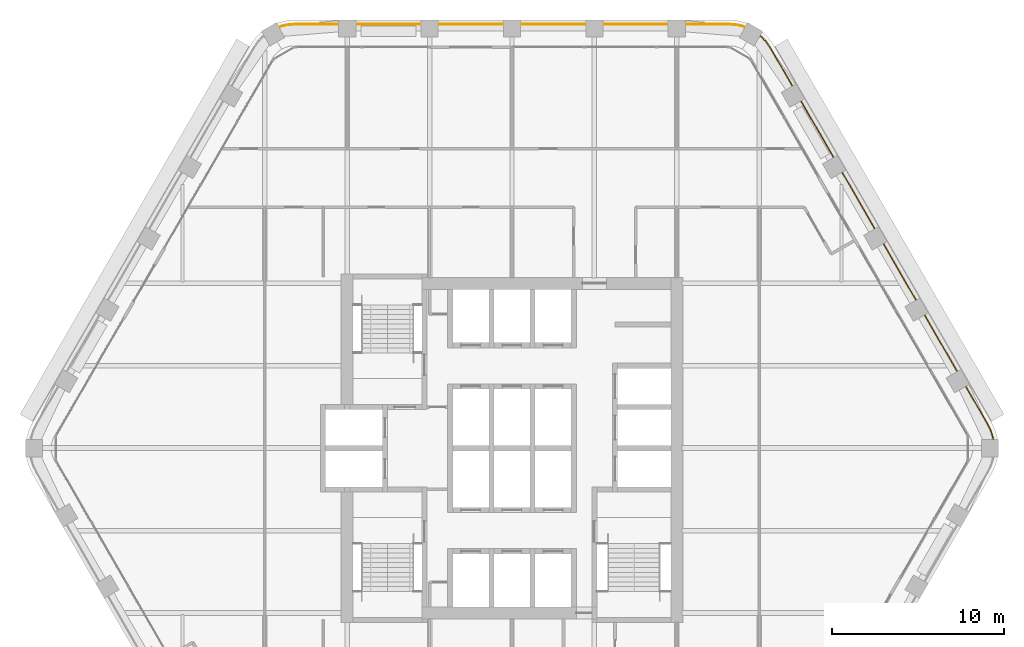
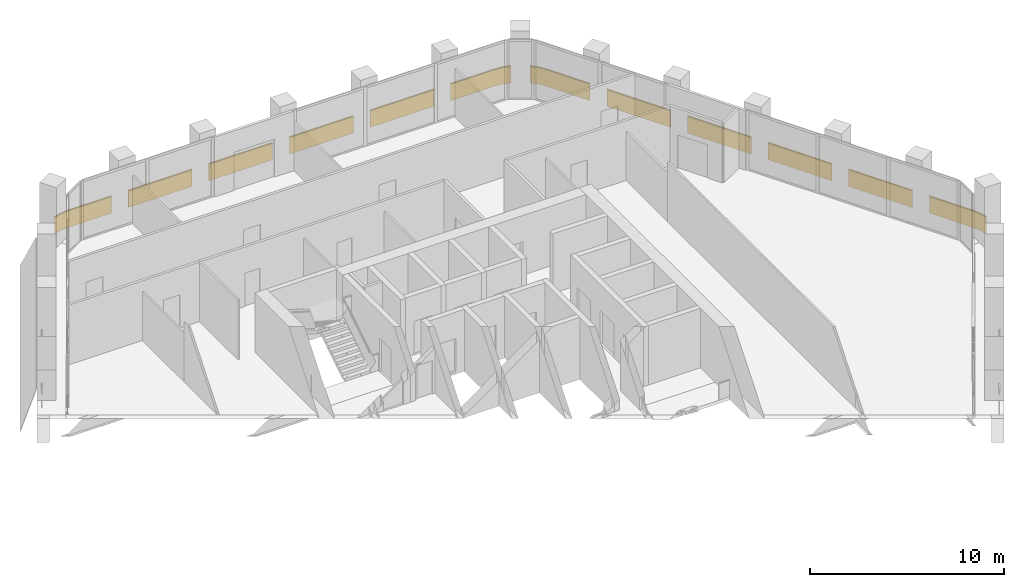
# One storey, part 15 of 15: 2 railings.
"""IFC4 building model written with IfcOpenShell, lengths in metres."""

from ifc_helpers import new_model, si_unit, direction, frame, frame_2d, origin, origin_2d, place, context, subcontext, project, spatial, rectangle, extrude, material, type_object, element, save


model = new_model("IFC4")

# Units and contexts
model_context = context("Model", 3, precision=1e-05, world=origin(), true_north=direction((0.0, 1.0)))
body_context = subcontext(model_context, "Body", "Model", "MODEL_VIEW")
ifc_project = project(units=[si_unit("LENGTHUNIT", "METRE"), si_unit("AREAUNIT", "SQUARE_METRE"), si_unit("VOLUMEUNIT", "CUBIC_METRE"), si_unit("PLANEANGLEUNIT", "RADIAN"), si_unit("MASSUNIT", "GRAM", prefix="KILO")], contexts=[model_context])

# Site, building, storey
site_placement = place(None, origin())
site = spatial("IfcSite", under=ifc_project, at=site_placement, CompositionType="ELEMENT")
building_placement = place(site_placement, origin())
building = spatial("IfcBuilding", under=site, at=building_placement, Name="Kolab Exchange Tower", CompositionType="ELEMENT")
storey_placement = place(building_placement, frame((0.0, 0.0, 138.800048828125)))
storey = spatial("IfcBuildingStorey", under=building, at=storey_placement, Name="L27", CompositionType="ELEMENT", Elevation=138.800048828125)

# Railings
ifc_material = material(Name="Steel S235", Category="steel")
railing_type = type_object("IfcRailingType", Name="GUARD 1100 GLASS BALUSTRADE AND STEEL TOP RAIL", PredefinedType="GUARDRAIL", material=ifc_material)
railing_1_placement = place(storey_placement, frame((13.588623046875, 24.531005859375, 0.0)))
element("IfcRailing", 1, at=railing_1_placement, inside=storey, type_object=railing_type, Name="Guard", PredefinedType="GUARDRAIL", context=body_context, shape_type="SweptSolid", body=[
    extrude(rectangle(XDim=0.05, YDim=0.05, at=origin_2d()), frame((0.0, 0.0, 1.0751953125), z_axis=(-0.965969425465, 0.25865627591, 0.0), x_axis=(-0.25865627591, -0.965969425465, 0.0)), (0.0, 0.0, 1.0), 0.458740234375),
    extrude(rectangle(XDim=0.012, YDim=1.05009765625, at=frame_2d((0.0, 0.525146484375))), frame((0.0, 0.0, 0.0), z_axis=(-0.965969425465, 0.25865627591, 0.0), x_axis=(-0.25865627591, -0.965969425465, 0.0)), (0.0, 0.0, 1.0), 0.458740234375),
    extrude(rectangle(XDim=0.05, YDim=0.05, at=origin_2d()), frame((-0.443115234375, 0.11865234375, 1.0751953125), z_axis=(-0.996156034798, 0.087596542937, 0.0), x_axis=(-0.087596542937, -0.996156034798, 0.0)), (0.0, 0.0, 1.0), 0.4794921875),
    extrude(rectangle(XDim=0.012, YDim=1.05009765625, at=frame_2d((0.0, 0.525146484375))), frame((-0.443115234375, 0.11865234375, 0.0), z_axis=(-0.996156034798, 0.087596542937, 0.0), x_axis=(-0.087596542937, -0.996156034798, 0.0)), (0.0, 0.0, 1.0), 0.4794921875),
    extrude(rectangle(XDim=0.05, YDim=0.05, at=origin_2d()), frame((-0.920654296875, 0.16064453125, 1.0751953125), z_axis=(-1.0, 0.0, 0.0), x_axis=(0.0, -1.0, 0.0)), (0.0, 0.0, 1.0), 2.56787109375),
    extrude(rectangle(XDim=0.012, YDim=1.05009765625, at=frame_2d((0.0, 0.525146484375))), frame((-0.920654296875, 0.16064453125, 0.0), z_axis=(-1.0, 0.0, 0.0), x_axis=(0.0, -1.0, 0.0)), (0.0, 0.0, 1.0), 2.56787109375),
    extrude(rectangle(XDim=0.05, YDim=0.05, at=origin_2d()), frame((-4.488525390625, 0.16064453125, 1.0751953125), z_axis=(-1.0, 0.0, 0.0), x_axis=(0.0, -1.0, 0.0)), (0.0, 0.0, 1.0), 3.800048828125),
    extrude(rectangle(XDim=0.012, YDim=1.05009765625, at=frame_2d((0.0, 0.525146484375))), frame((-4.488525390625, 0.16064453125, 0.0), z_axis=(-1.0, 0.0, 0.0), x_axis=(0.0, -1.0, 0.0)), (0.0, 0.0, 1.0), 3.800048828125),
    extrude(rectangle(XDim=0.05, YDim=0.05, at=origin_2d()), frame((-9.28857421875, 0.16064453125, 1.0751953125), z_axis=(-1.0, 0.0, 0.0), x_axis=(0.0, -1.0, 0.0)), (0.0, 0.0, 1.0), 3.800048828125),
    extrude(rectangle(XDim=0.012, YDim=1.05009765625, at=frame_2d((0.0, 0.525146484375))), frame((-9.28857421875, 0.16064453125, 0.0), z_axis=(-1.0, 0.0, 0.0), x_axis=(0.0, -1.0, 0.0)), (0.0, 0.0, 1.0), 3.800048828125),
    extrude(rectangle(XDim=0.05, YDim=0.05, at=origin_2d()), frame((-14.088623046875, 0.16064453125, 1.0751953125), z_axis=(-1.0, 0.0, 0.0), x_axis=(0.0, -1.0, 0.0)), (0.0, 0.0, 1.0), 3.800048828125),
    extrude(rectangle(XDim=0.012, YDim=1.05009765625, at=frame_2d((0.0, 0.525146484375))), frame((-14.088623046875, 0.16064453125, 0.0), z_axis=(-1.0, 0.0, 0.0), x_axis=(0.0, -1.0, 0.0)), (0.0, 0.0, 1.0), 3.800048828125),
    extrude(rectangle(XDim=0.05, YDim=0.05, at=origin_2d()), frame((-18.888671875, 0.16064453125, 1.0751953125), z_axis=(-1.0, 0.0, 0.0), x_axis=(0.0, -1.0, 0.0)), (0.0, 0.0, 1.0), 3.800048828125),
    extrude(rectangle(XDim=0.012, YDim=1.05009765625, at=frame_2d((0.0, 0.525146484375))), frame((-18.888671875, 0.16064453125, 0.0), z_axis=(-1.0, 0.0, 0.0), x_axis=(0.0, -1.0, 0.0)), (0.0, 0.0, 1.0), 3.800048828125),
    extrude(rectangle(XDim=0.05, YDim=0.05, at=origin_2d()), frame((-23.688720703125, 0.16064453125, 1.0751953125), z_axis=(-1.0, 0.0, 0.0), x_axis=(0.0, -1.0, 0.0)), (0.0, 0.0, 1.0), 2.56787109375),
    extrude(rectangle(XDim=0.012, YDim=1.05009765625, at=frame_2d((0.0, 0.525146484375))), frame((-23.688720703125, 0.16064453125, 0.0), z_axis=(-1.0, 0.0, 0.0), x_axis=(0.0, -1.0, 0.0)), (0.0, 0.0, 1.0), 2.56787109375),
    extrude(rectangle(XDim=0.05, YDim=0.05, at=origin_2d()), frame((-26.256591796875, 0.16064453125, 1.0751953125), z_axis=(-0.996156034798, -0.087596542937, 0.0), x_axis=(0.087596542937, -0.996156034798, 0.0)), (0.0, 0.0, 1.0), 0.4794921875),
    extrude(rectangle(XDim=0.012, YDim=1.05009765625, at=frame_2d((0.0, 0.525146484375))), frame((-26.256591796875, 0.16064453125, 0.0), z_axis=(-0.996156034798, -0.087596542937, 0.0), x_axis=(0.087596542937, -0.996156034798, 0.0)), (0.0, 0.0, 1.0), 0.4794921875),
    extrude(rectangle(XDim=0.05, YDim=0.05, at=origin_2d()), frame((-26.734130859375, 0.11865234375, 1.0751953125), z_axis=(-0.965969425465, -0.25865627591, 0.0), x_axis=(0.25865627591, -0.965969425465, 0.0)), (0.0, 0.0, 1.0), 0.458740234375),
    extrude(rectangle(XDim=0.012, YDim=1.05009765625, at=frame_2d((0.0, 0.525146484375))), frame((-26.734130859375, 0.11865234375, 0.0), z_axis=(-0.965969425465, -0.25865627591, 0.0), x_axis=(0.25865627591, -0.965969425465, 0.0)), (0.0, 0.0, 1.0), 0.458740234375),
])
railing_2_placement = place(storey_placement, frame((28.038818359375, 0.49755859375, 0.0)))
element("IfcRailing", 2, at=railing_2_placement, inside=storey, type_object=railing_type, Name="Guard", PredefinedType="GUARDRAIL", context=body_context, shape_type="SweptSolid", body=[
    extrude(rectangle(XDim=0.05, YDim=0.05, at=origin_2d()), frame((0.0, 0.0, 1.0751953125), z_axis=(-0.25865627591, 0.965969425465, 0.0), x_axis=(-0.965969425465, -0.25865627591, 0.0)), (0.0, 0.0, 1.0), 0.458740234375),
    extrude(rectangle(XDim=0.012, YDim=1.05009765625, at=frame_2d((0.0, 0.525146484375))), frame((0.0, 0.0, 0.0), z_axis=(-0.25865627591, 0.965969425465, 0.0), x_axis=(-0.965969425465, -0.25865627591, 0.0)), (0.0, 0.0, 1.0), 0.458740234375),
    extrude(rectangle(XDim=0.05, YDim=0.05, at=origin_2d()), frame((-0.11865234375, 0.443115234375, 1.0751953125), z_axis=(-0.422801802984, 0.906222177721, 0.0), x_axis=(-0.906222177721, -0.422801802984, 0.0)), (0.0, 0.0, 1.0), 0.479248046875),
    extrude(rectangle(XDim=0.012, YDim=1.05009765625, at=frame_2d((0.0, 0.525146484375))), frame((-0.11865234375, 0.443115234375, 0.0), z_axis=(-0.422801802984, 0.906222177721, 0.0), x_axis=(-0.906222177721, -0.422801802984, 0.0)), (0.0, 0.0, 1.0), 0.479248046875),
    extrude(rectangle(XDim=0.05, YDim=0.05, at=origin_2d()), frame((-0.3212890625, 0.87744140625, 1.0751953125), z_axis=(-0.499994038704, 0.866028845513, 0.0), x_axis=(-0.866028845513, -0.499994038704, 0.0)), (0.0, 0.0, 1.0), 2.56787109375),
    extrude(rectangle(XDim=0.012, YDim=1.05009765625, at=frame_2d((0.0, 0.525146484375))), frame((-0.3212890625, 0.87744140625, 0.0), z_axis=(-0.499994038704, 0.866028845513, 0.0), x_axis=(-0.866028845513, -0.499994038704, 0.0)), (0.0, 0.0, 1.0), 2.56787109375),
    extrude(rectangle(XDim=0.05, YDim=0.05, at=origin_2d()), frame((-2.105224609375, 3.96728515625, 1.0751953125), z_axis=(-0.500015340139, 0.86601654697, 0.0), x_axis=(-0.86601654697, -0.500015340139, 0.0)), (0.0, 0.0, 1.0), 3.80029296875),
    extrude(rectangle(XDim=0.012, YDim=1.05009765625, at=frame_2d((0.0, 0.525146484375))), frame((-2.105224609375, 3.96728515625, 0.0), z_axis=(-0.500015340139, 0.86601654697, 0.0), x_axis=(-0.86601654697, -0.500015340139, 0.0)), (0.0, 0.0, 1.0), 3.80029296875),
    extrude(rectangle(XDim=0.05, YDim=0.05, at=origin_2d()), frame((-4.50537109375, 8.124267578125, 1.0751953125), z_axis=(-0.499967155389, 0.866044365799, 0.0), x_axis=(-0.866044365799, -0.499967155389, 0.0)), (0.0, 0.0, 1.0), 3.800048828125),
    extrude(rectangle(XDim=0.012, YDim=1.05009765625, at=frame_2d((0.0, 0.525146484375))), frame((-4.50537109375, 8.124267578125, 0.0), z_axis=(-0.499967155389, 0.866044365799, 0.0), x_axis=(-0.866044365799, -0.499967155389, 0.0)), (0.0, 0.0, 1.0), 3.800048828125),
    extrude(rectangle(XDim=0.05, YDim=0.05, at=origin_2d()), frame((-6.9052734375, 12.28125, 1.0751953125), z_axis=(-0.500043160704, 0.866000483506, 0.0), x_axis=(-0.866000483506, -0.500043160704, 0.0)), (0.0, 0.0, 1.0), 3.800048828125),
    extrude(rectangle(XDim=0.012, YDim=1.05009765625, at=frame_2d((0.0, 0.525146484375))), frame((-6.9052734375, 12.28125, 0.0), z_axis=(-0.500043160704, 0.866000483506, 0.0), x_axis=(-0.866000483506, -0.500043160704, 0.0)), (0.0, 0.0, 1.0), 3.800048828125),
    extrude(rectangle(XDim=0.05, YDim=0.05, at=origin_2d()), frame((-9.305419921875, 16.438232421875, 1.0751953125), z_axis=(-0.499994975061, 0.866028304915, 0.0), x_axis=(-0.866028304915, -0.499994975061, 0.0)), (0.0, 0.0, 1.0), 3.7998046875),
    extrude(rectangle(XDim=0.012, YDim=1.05009765625, at=frame_2d((0.0, 0.525146484375))), frame((-9.305419921875, 16.438232421875, 0.0), z_axis=(-0.499994975061, 0.866028304915, 0.0), x_axis=(-0.866028304915, -0.499994975061, 0.0)), (0.0, 0.0, 1.0), 3.7998046875),
    extrude(rectangle(XDim=0.05, YDim=0.05, at=origin_2d()), frame((-11.705322265625, 20.594970703125, 1.0751953125), z_axis=(-0.499952873616, 0.866052610505, 0.0), x_axis=(-0.866052610505, -0.499952873616, 0.0)), (0.0, 0.0, 1.0), 2.568115234375),
    extrude(rectangle(XDim=0.012, YDim=1.05009765625, at=frame_2d((0.0, 0.525146484375))), frame((-11.705322265625, 20.594970703125, 0.0), z_axis=(-0.499952873616, 0.866052610505, 0.0), x_axis=(-0.866052610505, -0.499952873616, 0.0)), (0.0, 0.0, 1.0), 2.568115234375),
    extrude(rectangle(XDim=0.05, YDim=0.05, at=origin_2d()), frame((-12.9892578125, 22.819091796875, 1.0751953125), z_axis=(-0.573599091554, 0.819136180478, 0.0), x_axis=(-0.819136180478, -0.573599091554, 0.0)), (0.0, 0.0, 1.0), 0.479248046875),
    extrude(rectangle(XDim=0.012, YDim=1.05009765625, at=frame_2d((0.0, 0.525146484375))), frame((-12.9892578125, 22.819091796875, 0.0), z_axis=(-0.573599091554, 0.819136180478, 0.0), x_axis=(-0.819136180478, -0.573599091554, 0.0)), (0.0, 0.0, 1.0), 0.479248046875),
    extrude(rectangle(XDim=0.05, YDim=0.05, at=origin_2d()), frame((-13.26416015625, 23.211669921875, 1.0751953125), z_axis=(-0.70737286085, 0.706840601361, 0.0), x_axis=(-0.706840601361, -0.70737286085, 0.0)), (0.0, 0.0, 1.0), 0.458740234375),
    extrude(rectangle(XDim=0.012, YDim=1.05009765625, at=frame_2d((0.0, 0.525146484375))), frame((-13.26416015625, 23.211669921875, 0.0), z_axis=(-0.70737286085, 0.706840601361, 0.0), x_axis=(-0.706840601361, -0.70737286085, 0.0)), (0.0, 0.0, 1.0), 0.458740234375),
])

save(model, "model.ifc")
